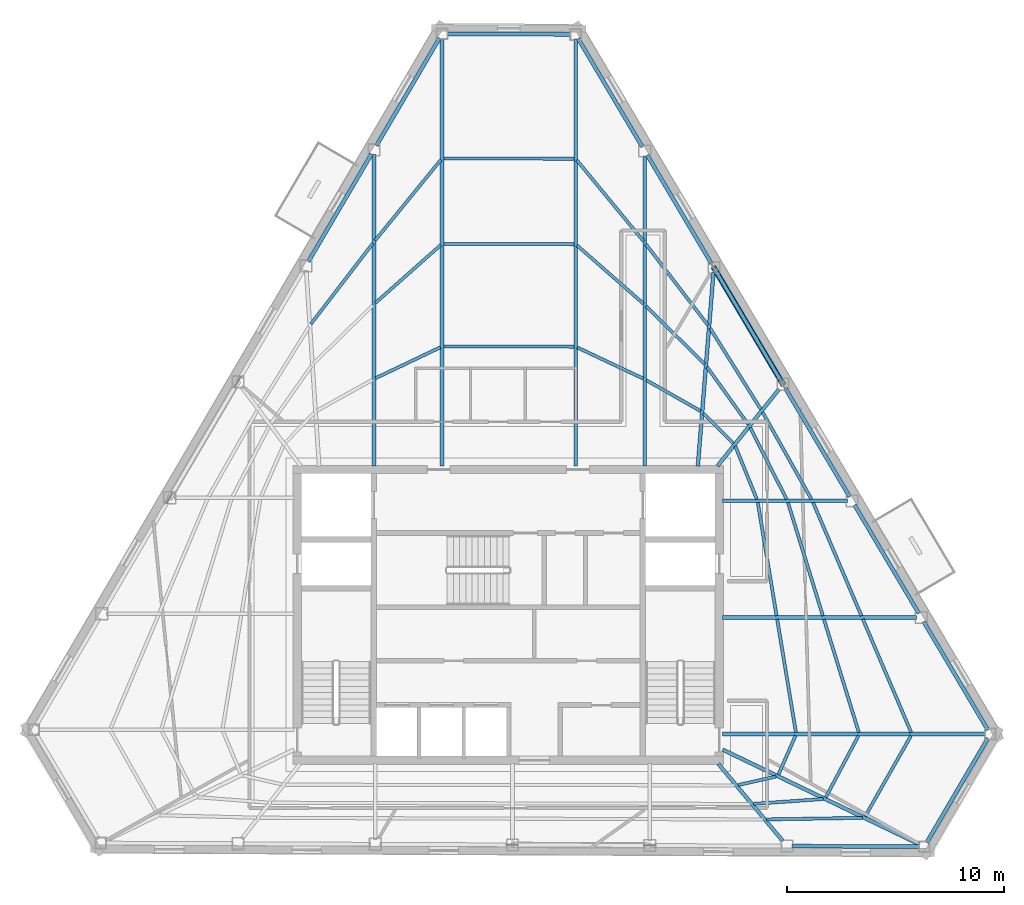
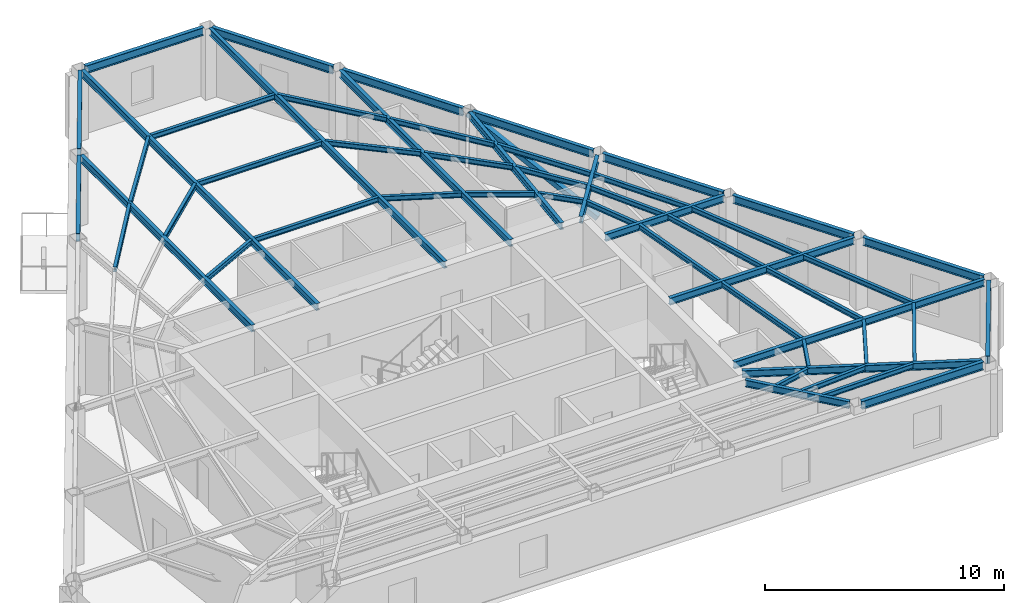
# One storey, part 2 of 9: 53 beams, 1 member.
"""IFC4 building model written with IfcOpenShell, lengths in metres."""

from ifc_helpers import new_model, si_unit, direction, frame, origin, origin_2d, place, context, subcontext, project, spatial, hollow_rectangle, i_section, extrude, material, material_profile, profile_set, type_object, element, save


model = new_model("IFC4")

# Units and contexts
model_context = context("Model", 3, precision=1e-05, world=origin(), true_north=direction((0.0, 1.0)))
body_context = subcontext(model_context, "Body", "Model", "MODEL_VIEW")
ifc_project = project(units=[si_unit("LENGTHUNIT", "METRE"), si_unit("AREAUNIT", "SQUARE_METRE"), si_unit("VOLUMEUNIT", "CUBIC_METRE"), si_unit("PLANEANGLEUNIT", "RADIAN"), si_unit("MASSUNIT", "GRAM", prefix="KILO")], contexts=[model_context])

# Site, building, storey
site_placement = place(None, origin())
site = spatial("IfcSite", under=ifc_project, at=site_placement, CompositionType="ELEMENT")
building_placement = place(site_placement, origin())
building = spatial("IfcBuilding", under=site, at=building_placement, Name="Kavelnor Concourse Tower", CompositionType="ELEMENT")
storey_placement = place(building_placement, frame((0.0, 0.0, 270.300048828125)))
storey = spatial("IfcBuildingStorey", under=building, at=storey_placement, Name="L68", CompositionType="ELEMENT", Elevation=270.300048828125)

# Beams
ifc_material = material(Name="Steel Grade 350", Category="steel")
ifc_material_profile_1 = material_profile(ifc_material, i_section(OverallWidth=0.14599609375, OverallDepth=0.256103515625, WebThickness=0.00634765625, FlangeThickness=0.010986328125, at=origin_2d()), Name="250UB37")
ifc_profile_set_1 = profile_set([ifc_material_profile_1], Name="Steel Grade 350")
beam_type_1 = type_object("IfcBeamType", Name="BM-JOIST-250", PredefinedType="JOIST", material=ifc_profile_set_1)
beam_1_placement = place(storey_placement, frame((48.574462890625, 8.272705078125, 3.48193359375), z_axis=(0.97577700552, 0.218767537577, 0.0), x_axis=(-0.218767537577, 0.97577700552, 0.0)))
element("IfcBeam", 1, at=beam_1_placement, inside=storey, type_object=beam_type_1, Name="L68 Secondary Composite Joist 07-1", PredefinedType="JOIST", context=body_context, shape_type="SweptSolid", body=[
    extrude(i_section(OverallWidth=0.14599609375, OverallDepth=0.256103515625, WebThickness=0.00634765625, FlangeThickness=0.010986328125, at=origin_2d()), origin(), (0.0, 0.0, 1.0), 1.78662109375),
])
beam_2_placement = place(storey_placement, frame((49.288818359375, 7.406982421875, 3.48193359375), z_axis=(0.997571042848, 0.069656402946, 0.0), x_axis=(-0.069656402946, 0.997571042848, 0.0)))
element("IfcBeam", 2, at=beam_2_placement, inside=storey, type_object=beam_type_1, Name="L68 Secondary Composite Joist 07-2", PredefinedType="JOIST", context=body_context, shape_type="SweptSolid", body=[
    extrude(i_section(OverallWidth=0.14599609375, OverallDepth=0.256103515625, WebThickness=0.00634765625, FlangeThickness=0.010986328125, at=origin_2d()), origin(), (0.0, 0.0, 1.0), 3.20703125),
])
beam_3_placement = place(storey_placement, frame((49.8828125, 6.69140625, 3.48193359375), z_axis=(0.999866055404, 0.016366772792, 0.0), x_axis=(-0.016366772792, 0.999866055404, 0.0)))
element("IfcBeam", 3, at=beam_3_placement, inside=storey, type_object=beam_type_1, Name="L68 Secondary Composite Joist 07-3", PredefinedType="JOIST", context=body_context, shape_type="SweptSolid", body=[
    extrude(i_section(OverallWidth=0.14599609375, OverallDepth=0.256103515625, WebThickness=0.00634765625, FlangeThickness=0.010986328125, at=origin_2d()), origin(), (0.0, 0.0, 1.0), 4.415283203125),
])
beam_4_placement = place(storey_placement, frame((50.430908203125, 8.756591796875, 3.48193359375), z_axis=(0.40176468326, 0.91574294389, 0.0), x_axis=(-0.91574294389, 0.40176468326, 0.0)))
element("IfcBeam", 4, at=beam_4_placement, inside=storey, type_object=beam_type_1, Name="L68 Secondary Composite Joist 08-1", PredefinedType="JOIST", context=body_context, shape_type="SweptSolid", body=[
    extrude(i_section(OverallWidth=0.14599609375, OverallDepth=0.256103515625, WebThickness=0.00634765625, FlangeThickness=0.010986328125, at=origin_2d()), origin(), (0.0, 0.0, 1.0), 1.949462890625),
])
beam_5_placement = place(storey_placement, frame((52.608154296875, 7.70849609375, 3.48193359375), z_axis=(0.468502629885, 0.883462102068, 0.0), x_axis=(-0.883462102068, 0.468502629885, 0.0)))
element("IfcBeam", 5, at=beam_5_placement, inside=storey, type_object=beam_type_1, Name="L68 Secondary Composite Joist 08-2", PredefinedType="JOIST", context=body_context, shape_type="SweptSolid", body=[
    extrude(i_section(OverallWidth=0.14599609375, OverallDepth=0.256103515625, WebThickness=0.00634765625, FlangeThickness=0.010986328125, at=origin_2d()), origin(), (0.0, 0.0, 1.0), 3.2099609375),
])
beam_6_placement = place(storey_placement, frame((54.420166015625, 6.836181640625, 3.48193359375), z_axis=(0.494270857919, 0.869307954071, 0.0), x_axis=(-0.869307954071, 0.494270857919, 0.0)))
element("IfcBeam", 6, at=beam_6_placement, inside=storey, type_object=beam_type_1, Name="L68 Secondary Composite Joist 08-3", PredefinedType="JOIST", context=body_context, shape_type="SweptSolid", body=[
    extrude(i_section(OverallWidth=0.14599609375, OverallDepth=0.256103515625, WebThickness=0.00634765625, FlangeThickness=0.010986328125, at=origin_2d()), origin(), (0.0, 0.0, 1.0), 4.26708984375),
])
beam_7_placement = place(storey_placement, frame((51.233642578125, 10.69775390625, 3.48193359375), z_axis=(-0.163715906947, 0.986507527499, 0.0), x_axis=(-0.986507527499, -0.163715906947, 0.0)))
element("IfcBeam", 7, at=beam_7_placement, inside=storey, type_object=beam_type_1, Name="L68 Secondary Composite Joist 09-1", PredefinedType="JOIST", context=body_context, shape_type="SweptSolid", body=[
    extrude(i_section(OverallWidth=0.14599609375, OverallDepth=0.256103515625, WebThickness=0.00634765625, FlangeThickness=0.010986328125, at=origin_2d()), origin(), (0.0, 0.0, 1.0), 5.2744140625),
])
beam_8_placement = place(storey_placement, frame((54.126220703125, 10.6953125, 3.48193359375), z_axis=(-0.294535958939, 0.955640397269, 0.0), x_axis=(-0.955640397269, -0.294535958939, 0.0)))
element("IfcBeam", 8, at=beam_8_placement, inside=storey, type_object=beam_type_1, Name="L68 Secondary Composite Joist 09-2", PredefinedType="JOIST", context=body_context, shape_type="SweptSolid", body=[
    extrude(i_section(OverallWidth=0.14599609375, OverallDepth=0.256103515625, WebThickness=0.00634765625, FlangeThickness=0.010986328125, at=origin_2d()), origin(), (0.0, 0.0, 1.0), 5.449951171875),
])
beam_9_placement = place(storey_placement, frame((56.53759765625, 10.6923828125, 3.48193359375), z_axis=(-0.392499891869, 0.919752050763, 0.0), x_axis=(-0.919752050763, -0.392499891869, 0.0)))
element("IfcBeam", 9, at=beam_9_placement, inside=storey, type_object=beam_type_1, Name="L68 Secondary Composite Joist 09-3", PredefinedType="JOIST", context=body_context, shape_type="SweptSolid", body=[
    extrude(i_section(OverallWidth=0.14599609375, OverallDepth=0.256103515625, WebThickness=0.00634765625, FlangeThickness=0.010986328125, at=origin_2d()), origin(), (0.0, 0.0, 1.0), 5.6689453125),
])
beam_10_placement = place(storey_placement, frame((50.343505859375, 16.06298828125, 3.48193359375), z_axis=(-0.163715906947, 0.986507527499, 0.0), x_axis=(-0.986507527499, -0.163715906947, 0.0)))
element("IfcBeam", 10, at=beam_10_placement, inside=storey, type_object=beam_type_1, Name="L68 Secondary Composite Joist 10-1", PredefinedType="JOIST", context=body_context, shape_type="SweptSolid", body=[
    extrude(i_section(OverallWidth=0.14599609375, OverallDepth=0.256103515625, WebThickness=0.00634765625, FlangeThickness=0.010986328125, at=origin_2d()), origin(), (0.0, 0.0, 1.0), 5.2744140625),
])
beam_11_placement = place(storey_placement, frame((52.472900390625, 16.060302734375, 3.48193359375), z_axis=(-0.294523350605, 0.955644283166, 0.0), x_axis=(-0.955644283166, -0.294523350605, 0.0)))
element("IfcBeam", 11, at=beam_11_placement, inside=storey, type_object=beam_type_1, Name="L68 Secondary Composite Joist 10-2", PredefinedType="JOIST", context=body_context, shape_type="SweptSolid", body=[
    extrude(i_section(OverallWidth=0.14599609375, OverallDepth=0.256103515625, WebThickness=0.00634765625, FlangeThickness=0.010986328125, at=origin_2d()), origin(), (0.0, 0.0, 1.0), 5.4501953125),
])
beam_12_placement = place(storey_placement, frame((54.248291015625, 16.057373046875, 3.48193359375), z_axis=(-0.392484345636, 0.91975868489, 0.0), x_axis=(-0.91975868489, -0.392484345636, 0.0)))
element("IfcBeam", 12, at=beam_12_placement, inside=storey, type_object=beam_type_1, Name="L68 Secondary Composite Joist 10-3", PredefinedType="JOIST", context=body_context, shape_type="SweptSolid", body=[
    extrude(i_section(OverallWidth=0.14599609375, OverallDepth=0.256103515625, WebThickness=0.00634765625, FlangeThickness=0.010986328125, at=origin_2d()), origin(), (0.0, 0.0, 1.0), 5.669189453125),
])
beam_13_placement = place(storey_placement, frame((49.435791015625, 21.423095703125, 3.48193359375), z_axis=(-0.376197957298, 0.926539312132, 0.0), x_axis=(-0.926539312132, -0.376197957298, 0.0)))
element("IfcBeam", 13, at=beam_13_placement, inside=storey, type_object=beam_type_1, Name="L68 Secondary Composite Joist 11-1", PredefinedType="JOIST", context=body_context, shape_type="SweptSolid", body=[
    extrude(i_section(OverallWidth=0.14599609375, OverallDepth=0.256103515625, WebThickness=0.00634765625, FlangeThickness=0.010986328125, at=origin_2d()), origin(), (0.0, 0.0, 1.0), 2.6328125),
])
beam_14_placement = place(storey_placement, frame((50.806396484375, 21.42041015625, 3.48193359375), z_axis=(-0.453282270553, 0.891367030578, 0.0), x_axis=(-0.891367030578, -0.453282270553, 0.0)))
element("IfcBeam", 14, at=beam_14_placement, inside=storey, type_object=beam_type_1, Name="L68 Secondary Composite Joist 11-2", PredefinedType="JOIST", context=body_context, shape_type="SweptSolid", body=[
    extrude(i_section(OverallWidth=0.14599609375, OverallDepth=0.256103515625, WebThickness=0.00634765625, FlangeThickness=0.010986328125, at=origin_2d()), origin(), (0.0, 0.0, 1.0), 3.69482421875),
])
beam_15_placement = place(storey_placement, frame((51.95068359375, 21.418701171875, 3.48193359375), z_axis=(-0.489839668014, 0.871812536983, 0.0), x_axis=(-0.871812536983, -0.489839668014, 0.0)))
element("IfcBeam", 15, at=beam_15_placement, inside=storey, type_object=beam_type_1, Name="L68 Secondary Composite Joist 11-3", PredefinedType="JOIST", context=body_context, shape_type="SweptSolid", body=[
    extrude(i_section(OverallWidth=0.14599609375, OverallDepth=0.256103515625, WebThickness=0.00634765625, FlangeThickness=0.010986328125, at=origin_2d()), origin(), (0.0, 0.0, 1.0), 4.59228515625),
])
beam_16_placement = place(storey_placement, frame((48.3564453125, 23.99658203125, 3.48193359375), z_axis=(-0.705729019698, 0.708481863392, 0.0), x_axis=(-0.708481863392, -0.705729019698, 0.0)))
element("IfcBeam", 16, at=beam_16_placement, inside=storey, type_object=beam_type_1, Name="L68 Secondary Composite Joist 12-1", PredefinedType="JOIST", context=body_context, shape_type="SweptSolid", body=[
    extrude(i_section(OverallWidth=0.14599609375, OverallDepth=0.256103515625, WebThickness=0.00634765625, FlangeThickness=0.010986328125, at=origin_2d()), origin(), (0.0, 0.0, 1.0), 1.951171875),
])
beam_17_placement = place(storey_placement, frame((49.04638671875, 24.853515625, 3.48193359375), z_axis=(-0.58249509132, 0.812834219622, 0.0), x_axis=(-0.812834219622, -0.58249509132, 0.0)))
element("IfcBeam", 17, at=beam_17_placement, inside=storey, type_object=beam_type_1, Name="L68 Secondary Composite Joist 12-2", PredefinedType="JOIST", context=body_context, shape_type="SweptSolid", body=[
    extrude(i_section(OverallWidth=0.14599609375, OverallDepth=0.256103515625, WebThickness=0.00634765625, FlangeThickness=0.010986328125, at=origin_2d()), origin(), (0.0, 0.0, 1.0), 3.268798828125),
])
beam_18_placement = place(storey_placement, frame((49.617431640625, 25.563232421875, 3.48193359375), z_axis=(-0.530911574228, 0.847427224221, 0.0), x_axis=(-0.847427224221, -0.530911574228, 0.0)))
element("IfcBeam", 18, at=beam_18_placement, inside=storey, type_object=beam_type_1, Name="L68 Secondary Composite Joist 12-3", PredefinedType="JOIST", context=body_context, shape_type="SweptSolid", body=[
    extrude(i_section(OverallWidth=0.14599609375, OverallDepth=0.256103515625, WebThickness=0.00634765625, FlangeThickness=0.010986328125, at=origin_2d()), origin(), (0.0, 0.0, 1.0), 4.39892578125),
])
beam_19_placement = place(storey_placement, frame((46.850341796875, 25.477294921875, 3.48193359375), z_axis=(-0.869379492744, 0.494145016768, 0.0), x_axis=(-0.494145016768, -0.869379492744, 0.0)))
element("IfcBeam", 19, at=beam_19_placement, inside=storey, type_object=beam_type_1, Name="L68 Secondary Composite Joist 13-1", PredefinedType="JOIST", context=body_context, shape_type="SweptSolid", body=[
    extrude(i_section(OverallWidth=0.14599609375, OverallDepth=0.256103515625, WebThickness=0.00634765625, FlangeThickness=0.010986328125, at=origin_2d()), origin(), (0.0, 0.0, 1.0), 2.87646484375),
])
beam_20_placement = place(storey_placement, frame((47.036376953125, 27.634765625, 3.48193359375), z_axis=(-0.71043971606, 0.703758062011, 0.0), x_axis=(-0.703758062011, -0.71043971606, 0.0)))
element("IfcBeam", 20, at=beam_20_placement, inside=storey, type_object=beam_type_1, Name="L68 Secondary Composite Joist 13-2", PredefinedType="JOIST", context=body_context, shape_type="SweptSolid", body=[
    extrude(i_section(OverallWidth=0.14599609375, OverallDepth=0.256103515625, WebThickness=0.00634765625, FlangeThickness=0.010986328125, at=origin_2d()), origin(), (0.0, 0.0, 1.0), 3.800048828125),
])
beam_21_placement = place(storey_placement, frame((47.188720703125, 29.425537109375, 3.48193359375), z_axis=(-0.608257155743, 0.793740028276, 0.0), x_axis=(-0.793740028276, -0.608257155743, 0.0)))
element("IfcBeam", 21, at=beam_21_placement, inside=storey, type_object=beam_type_1, Name="L68 Secondary Composite Joist 13-3", PredefinedType="JOIST", context=body_context, shape_type="SweptSolid", body=[
    extrude(i_section(OverallWidth=0.14599609375, OverallDepth=0.256103515625, WebThickness=0.00634765625, FlangeThickness=0.010986328125, at=origin_2d()), origin(), (0.0, 0.0, 1.0), 4.702880859375),
])
beam_22_placement = place(storey_placement, frame((44.2041015625, 26.97412109375, 3.48193359375), z_axis=(-0.904180687176, 0.427150190141, 0.0), x_axis=(-0.427150190141, -0.904180687176, 0.0)))
element("IfcBeam", 22, at=beam_22_placement, inside=storey, type_object=beam_type_1, Name="L68 Secondary Composite Joist 14-1", PredefinedType="JOIST", context=body_context, shape_type="SweptSolid", body=[
    extrude(i_section(OverallWidth=0.14599609375, OverallDepth=0.256103515625, WebThickness=0.00634765625, FlangeThickness=0.010986328125, at=origin_2d()), origin(), (0.0, 0.0, 1.0), 3.352783203125),
])
beam_23_placement = place(storey_placement, frame((44.216796875, 30.4208984375, 3.48193359375), z_axis=(-0.751683393893, 0.659524127948, 0.0), x_axis=(-0.659524127948, -0.751683393893, 0.0)))
element("IfcBeam", 23, at=beam_23_placement, inside=storey, type_object=beam_type_1, Name="L68 Secondary Composite Joist 14-2", PredefinedType="JOIST", context=body_context, shape_type="SweptSolid", body=[
    extrude(i_section(OverallWidth=0.14599609375, OverallDepth=0.256103515625, WebThickness=0.00634765625, FlangeThickness=0.010986328125, at=origin_2d()), origin(), (0.0, 0.0, 1.0), 4.06640625),
])
beam_24_placement = place(storey_placement, frame((44.226318359375, 33.286865234375, 3.48193359375), z_axis=(-0.635572847795, 0.772040902509, 0.0), x_axis=(-0.772040902509, -0.635572847795, 0.0)))
element("IfcBeam", 24, at=beam_24_placement, inside=storey, type_object=beam_type_1, Name="L68 Secondary Composite Joist 14-3", PredefinedType="JOIST", context=body_context, shape_type="SweptSolid", body=[
    extrude(i_section(OverallWidth=0.14599609375, OverallDepth=0.256103515625, WebThickness=0.00634765625, FlangeThickness=0.010986328125, at=origin_2d()), origin(), (0.0, 0.0, 1.0), 4.839111328125),
])
for number, where, z_axis, x_axis, name in (
    (25, (41.0166015625, 28.44140625, 3.48193359375), (-0.999999250619, 0.001224239034, 0.0), (-0.001224239034, -0.999999250619, 0.0), "L68 Secondary Composite Joist 15-1"),
    (26, (41.0166015625, 33.156982421875, 3.48193359375), (-0.999997481254, 0.002244434257, 0.0), (-0.002244434257, -0.999997481254, 0.0), "L68 Secondary Composite Joist 15-2"),
    (27, (41.0166015625, 37.086669921875, 3.48193359375), (-0.999995190669, 0.00310139296, 0.0), (-0.00310139296, -0.999995190669, 0.0), "L68 Secondary Composite Joist 15-3"),
):
    element("IfcBeam", number, at=place(storey_placement, frame(where, z_axis=z_axis, x_axis=x_axis)), inside=storey, type_object=beam_type_1, Name=name, PredefinedType="JOIST", context=body_context, shape_type="SweptSolid", body=[
        extrude(i_section(OverallWidth=0.14599609375, OverallDepth=0.256103515625, WebThickness=0.00634765625, FlangeThickness=0.010986328125, at=origin_2d()), origin(), (0.0, 0.0, 1.0), 5.982666015625),
    ])
beam_25_placement = place(storey_placement, frame((34.8779296875, 28.41357421875, 3.48193359375), z_axis=(-0.902517574036, -0.430653025712, 0.0), x_axis=(0.430653025712, -0.902517574036, 0.0)))
element("IfcBeam", 28, at=beam_25_placement, inside=storey, type_object=beam_type_1, Name="L68 Secondary Composite Joist 16-1", PredefinedType="JOIST", context=body_context, shape_type="SweptSolid", body=[
    extrude(i_section(OverallWidth=0.14599609375, OverallDepth=0.256103515625, WebThickness=0.00634765625, FlangeThickness=0.010986328125, at=origin_2d()), origin(), (0.0, 0.0, 1.0), 3.3056640625),
])
beam_26_placement = place(storey_placement, frame((34.890380859375, 33.1162109375, 3.48193359375), z_axis=(-0.748427098642, -0.663217067043, 0.0), x_axis=(0.663217067043, -0.748427098642, 0.0)))
element("IfcBeam", 29, at=beam_26_placement, inside=storey, type_object=beam_type_1, Name="L68 Secondary Composite Joist 16-2", PredefinedType="JOIST", context=body_context, shape_type="SweptSolid", body=[
    extrude(i_section(OverallWidth=0.14599609375, OverallDepth=0.256103515625, WebThickness=0.00634765625, FlangeThickness=0.010986328125, at=origin_2d()), origin(), (0.0, 0.0, 1.0), 4.019775390625),
])
beam_27_placement = place(storey_placement, frame((34.900146484375, 37.0419921875, 3.48193359375), z_axis=(-0.631763656983, -0.77516106824, 0.0), x_axis=(0.77516106824, -0.631763656983, 0.0)))
element("IfcBeam", 30, at=beam_27_placement, inside=storey, type_object=beam_type_1, Name="L68 Secondary Composite Joist 16-3", PredefinedType="JOIST", context=body_context, shape_type="SweptSolid", body=[
    extrude(i_section(OverallWidth=0.14599609375, OverallDepth=0.256103515625, WebThickness=0.00634765625, FlangeThickness=0.010986328125, at=origin_2d()), origin(), (0.0, 0.0, 1.0), 4.792724609375),
])
beam_28_placement = place(storey_placement, frame((31.7705078125, 33.1982421875, 3.48193359375), z_axis=(-0.609050081935, -0.793131765658, 0.0), x_axis=(0.793131765658, -0.609050081935, 0.0)))
element("IfcBeam", 31, at=beam_28_placement, inside=storey, type_object=beam_type_1, Name="L68 Secondary Composite Joist 17-3", PredefinedType="JOIST", context=body_context, shape_type="SweptSolid", body=[
    extrude(i_section(OverallWidth=0.14599609375, OverallDepth=0.256103515625, WebThickness=0.00634765625, FlangeThickness=0.010986328125, at=origin_2d()), origin(), (0.0, 0.0, 1.0), 4.680419921875),
])
ifc_material_profile_2 = material_profile(ifc_material, i_section(OverallWidth=0.172119140625, OverallDepth=0.35888671875, WebThickness=0.008056640625, FlangeThickness=0.012939453125, at=origin_2d()), Name="360UB56")
ifc_profile_set_2 = profile_set([ifc_material_profile_2], Name="Steel Grade 350")
beam_type_2 = type_object("IfcBeamType", Name="BM-PRIMARY-360", PredefinedType="BEAM", material=ifc_profile_set_2)
beam_29_placement = place(storey_placement, frame((34.951904296875, 22.93994140625, 3.430419921875), z_axis=(0.0, 1.0, 0.0), x_axis=(-1.0, 0.0, 0.0)))
element("IfcBeam", 32, at=beam_29_placement, inside=storey, type_object=beam_type_2, Name="L68 Primary Floor Girder F0-B0", PredefinedType="BEAM", context=body_context, shape_type="SweptSolid", body=[
    extrude(i_section(OverallWidth=0.172119140625, OverallDepth=0.35888671875, WebThickness=0.008056640625, FlangeThickness=0.012939453125, at=origin_2d()), origin(), (0.0, 0.0, 1.0), 19.674560546875),
])
beam_30_placement = place(storey_placement, frame((31.820556640625, 22.93994140625, 3.430419921875), z_axis=(0.0, 1.0, 0.0), x_axis=(-1.0, 0.0, 0.0)))
element("IfcBeam", 33, at=beam_30_placement, inside=storey, type_object=beam_type_2, Name="L68 Primary Floor Girder F0-B1", PredefinedType="BEAM", context=body_context, shape_type="SweptSolid", body=[
    extrude(i_section(OverallWidth=0.172119140625, OverallDepth=0.35888671875, WebThickness=0.008056640625, FlangeThickness=0.012939453125, at=origin_2d()), origin(), (0.0, 0.0, 1.0), 14.337890625),
])
beam_31_placement = place(storey_placement, frame((47.6630859375, 9.250732421875, 3.430419921875), z_axis=(0.64086317924, -0.767655121454, 0.0), x_axis=(0.767655121454, 0.64086317924, 0.0)))
element("IfcBeam", 34, at=beam_31_placement, inside=storey, type_object=beam_type_2, Name="L68 Primary Floor Girder F1-B5", PredefinedType="BEAM", context=body_context, shape_type="SweptSolid", body=[
    extrude(i_section(OverallWidth=0.172119140625, OverallDepth=0.35888671875, WebThickness=0.008056640625, FlangeThickness=0.012939453125, at=origin_2d()), origin(), (0.0, 0.0, 1.0), 4.6328125),
])
beam_32_placement = place(storey_placement, frame((47.864013671875, 9.901123046875, 3.430419921875), z_axis=(0.901059375209, -0.433695748593, 0.0), x_axis=(0.433695748593, 0.901059375209, 0.0)))
element("IfcBeam", 35, at=beam_32_placement, inside=storey, type_object=beam_type_2, Name="L68 Primary Floor Girder F1-B6", PredefinedType="BEAM", context=body_context, shape_type="SweptSolid", body=[
    extrude(i_section(OverallWidth=0.172119140625, OverallDepth=0.35888671875, WebThickness=0.008056640625, FlangeThickness=0.012939453125, at=origin_2d()), origin(), (0.0, 0.0, 1.0), 10.043212890625),
])
beam_33_placement = place(storey_placement, frame((47.860107421875, 10.616943359375, 3.430419921875), z_axis=(1.0, 0.0, 0.0), x_axis=(0.0, 1.0, 0.0)))
element("IfcBeam", 36, at=beam_33_placement, inside=storey, type_object=beam_type_2, Name="L68 Primary Floor Girder F2-B0", PredefinedType="BEAM", context=body_context, shape_type="SweptSolid", body=[
    extrude(i_section(OverallWidth=0.172119140625, OverallDepth=0.35888671875, WebThickness=0.008056640625, FlangeThickness=0.012939453125, at=origin_2d()), origin(), (0.0, 0.0, 1.0), 12.0966796875),
])
beam_34_placement = place(storey_placement, frame((47.860107421875, 15.98193359375, 3.430419921875), z_axis=(1.0, 0.0, 0.0), x_axis=(0.0, 1.0, 0.0)))
element("IfcBeam", 37, at=beam_34_placement, inside=storey, type_object=beam_type_2, Name="L68 Primary Floor Girder F2-B1", PredefinedType="BEAM", context=body_context, shape_type="SweptSolid", body=[
    extrude(i_section(OverallWidth=0.172119140625, OverallDepth=0.35888671875, WebThickness=0.008056640625, FlangeThickness=0.012939453125, at=origin_2d()), origin(), (0.0, 0.0, 1.0), 8.9169921875),
])
beam_35_placement = place(storey_placement, frame((47.860107421875, 21.34716796875, 3.430419921875), z_axis=(1.0, 0.0, 0.0), x_axis=(0.0, 1.0, 0.0)))
element("IfcBeam", 38, at=beam_35_placement, inside=storey, type_object=beam_type_2, Name="L68 Primary Floor Girder F2-B2", PredefinedType="BEAM", context=body_context, shape_type="SweptSolid", body=[
    extrude(i_section(OverallWidth=0.172119140625, OverallDepth=0.35888671875, WebThickness=0.008056640625, FlangeThickness=0.012939453125, at=origin_2d()), origin(), (0.0, 0.0, 1.0), 5.7373046875),
])
beam_36_placement = place(storey_placement, frame((47.62109375, 22.94873046875, 3.430419921875), z_axis=(0.625437447742, 0.780274310074, 0.0), x_axis=(-0.780274310074, 0.625437447742, 0.0)))
element("IfcBeam", 39, at=beam_36_placement, inside=storey, type_object=beam_type_2, Name="L68 Primary Floor Girder F2-B3", PredefinedType="BEAM", context=body_context, shape_type="SweptSolid", body=[
    extrude(i_section(OverallWidth=0.172119140625, OverallDepth=0.35888671875, WebThickness=0.008056640625, FlangeThickness=0.012939453125, at=origin_2d()), origin(), (0.0, 0.0, 1.0), 4.530029296875),
])
beam_37_placement = place(storey_placement, frame((46.72021484375, 22.940185546875, 3.430419921875), z_axis=(0.080477337109, 0.996756438761, 0.0), x_axis=(-0.996756438761, 0.080477337109, 0.0)))
element("IfcBeam", 40, at=beam_37_placement, inside=storey, type_object=beam_type_2, Name="L68 Primary Floor Girder F2-B4", PredefinedType="BEAM", context=body_context, shape_type="SweptSolid", body=[
    extrude(i_section(OverallWidth=0.172119140625, OverallDepth=0.35888671875, WebThickness=0.008056640625, FlangeThickness=0.012939453125, at=origin_2d()), origin(), (0.0, 0.0, 1.0), 8.9462890625),
])
beam_38_placement = place(storey_placement, frame((44.2783203125, 22.93994140625, 3.430419921875), z_axis=(0.0, 1.0, 0.0), x_axis=(-1.0, 0.0, 0.0)))
element("IfcBeam", 41, at=beam_38_placement, inside=storey, type_object=beam_type_2, Name="L68 Primary Floor Girder F2-B5", PredefinedType="BEAM", context=body_context, shape_type="SweptSolid", body=[
    extrude(i_section(OverallWidth=0.172119140625, OverallDepth=0.35888671875, WebThickness=0.008056640625, FlangeThickness=0.012939453125, at=origin_2d()), origin(), (0.0, 0.0, 1.0), 14.28271484375),
])
beam_39_placement = place(storey_placement, frame((41.0986328125, 22.93994140625, 3.430419921875), z_axis=(0.0, 1.0, 0.0), x_axis=(-1.0, 0.0, 0.0)))
element("IfcBeam", 42, at=beam_39_placement, inside=storey, type_object=beam_type_2, Name="L68 Primary Floor Girder F2-B6", PredefinedType="BEAM", context=body_context, shape_type="SweptSolid", body=[
    extrude(i_section(OverallWidth=0.172119140625, OverallDepth=0.35888671875, WebThickness=0.008056640625, FlangeThickness=0.012939453125, at=origin_2d()), origin(), (0.0, 0.0, 1.0), 19.647705078125),
])
ifc_material_profile_3 = material_profile(ifc_material, i_section(OverallWidth=0.177978515625, OverallDepth=0.406005859375, WebThickness=0.0078125, FlangeThickness=0.0126953125, at=origin_2d()), Name="410UB59")
ifc_profile_set_3 = profile_set([ifc_material_profile_3], Name="Steel Grade 350")
beam_type_3 = type_object("IfcBeamType", Name="BM-SPANDREL-Z4", PredefinedType="SPANDREL", material=ifc_profile_set_3)
beam_40_placement = place(storey_placement, frame((34.837890625, 42.640380859375, 3.406982421875), z_axis=(-0.506073280581, -0.862490483821, 0.0), x_axis=(0.862490483821, -0.506073280581, 0.0)))
element("IfcBeam", 43, at=beam_40_placement, inside=storey, type_object=beam_type_3, Name="L68 Perimeter Tube Spandrel Beam F0-B0", PredefinedType="SPANDREL", context=body_context, shape_type="SweptSolid", body=[
    extrude(i_section(OverallWidth=0.177978515625, OverallDepth=0.406005859375, WebThickness=0.0078125, FlangeThickness=0.0126953125, at=origin_2d()), origin(), (0.0, 0.0, 1.0), 5.737548828125),
])
beam_41_placement = place(storey_placement, frame((31.70654296875, 37.3037109375, 3.406982421875), z_axis=(-0.506110429492, -0.862468685321, 0.0), x_axis=(0.862468685321, -0.506110429492, 0.0)))
element("IfcBeam", 44, at=beam_41_placement, inside=storey, type_object=beam_type_3, Name="L68 Perimeter Tube Spandrel Beam F0-B1", PredefinedType="SPANDREL", context=body_context, shape_type="SweptSolid", body=[
    extrude(i_section(OverallWidth=0.177978515625, OverallDepth=0.406005859375, WebThickness=0.0078125, FlangeThickness=0.0126953125, at=origin_2d()), origin(), (0.0, 0.0, 1.0), 5.737060546875),
])
beam_42_placement = place(storey_placement, frame((40.87353515625, 42.80859375, 3.406982421875), z_axis=(-0.99999044517, 0.004371449252, 0.0), x_axis=(-0.004371449252, -0.99999044517, 0.0)))
element("IfcBeam", 45, at=beam_42_placement, inside=storey, type_object=beam_type_3, Name="L68 Chamfer Facet Spandrel Beam C0", PredefinedType="SPANDREL", context=body_context, shape_type="SweptSolid", body=[
    extrude(i_section(OverallWidth=0.177978515625, OverallDepth=0.406005859375, WebThickness=0.0078125, FlangeThickness=0.0126953125, at=origin_2d()), origin(), (0.0, 0.0, 1.0), 5.696533203125),
])
beam_43_placement = place(storey_placement, frame((51.048583984375, 5.464111328125, 3.406982421875), z_axis=(0.999990444959, -0.004371497428, 0.0), x_axis=(0.004371497428, 0.999990444959, 0.0)))
element("IfcBeam", 46, at=beam_43_placement, inside=storey, type_object=beam_type_3, Name="L68 Perimeter Tube Spandrel Beam F1-B5", PredefinedType="SPANDREL", context=body_context, shape_type="SweptSolid", body=[
    extrude(i_section(OverallWidth=0.177978515625, OverallDepth=0.406005859375, WebThickness=0.0078125, FlangeThickness=0.0126953125, at=origin_2d()), origin(), (0.0, 0.0, 1.0), 5.864013671875),
])
beam_44_placement = place(storey_placement, frame((60.062255859375, 10.810546875, 3.406982421875), z_axis=(-0.509884500813, 0.860242870259, 0.0), x_axis=(-0.860242870259, -0.509884500813, 0.0)))
element("IfcBeam", 47, at=beam_44_placement, inside=storey, type_object=beam_type_3, Name="L68 Perimeter Tube Spandrel Beam F2-B0", PredefinedType="SPANDREL", context=body_context, shape_type="SweptSolid", body=[
    extrude(i_section(OverallWidth=0.177978515625, OverallDepth=0.406005859375, WebThickness=0.0078125, FlangeThickness=0.0126953125, at=origin_2d()), origin(), (0.0, 0.0, 1.0), 5.786376953125),
])
for number, where, z_axis, x_axis, name in (
    (48, (56.882568359375, 16.175537109375, 3.406982421875), (-0.509865995133, 0.860253838705, 0.0), (-0.860253838705, -0.509865995133, 0.0), "L68 Perimeter Tube Spandrel Beam F2-B1"),
    (49, (53.702880859375, 21.540771484375, 3.406982421875), (-0.509865995133, 0.860253838705, 0.0), (-0.860253838705, -0.509865995133, 0.0), "L68 Perimeter Tube Spandrel Beam F2-B2"),
):
    element("IfcBeam", number, at=place(storey_placement, frame(where, z_axis=z_axis, x_axis=x_axis)), inside=storey, type_object=beam_type_3, Name=name, PredefinedType="SPANDREL", context=body_context, shape_type="SweptSolid", body=[
        extrude(i_section(OverallWidth=0.177978515625, OverallDepth=0.406005859375, WebThickness=0.0078125, FlangeThickness=0.0126953125, at=origin_2d()), origin(), (0.0, 0.0, 1.0), 5.78662109375),
    ])
beam_45_placement = place(storey_placement, frame((50.52294921875, 26.906005859375, 3.406982421875), z_axis=(-0.509853277331, 0.860261376324, 0.0), x_axis=(-0.860261376324, -0.509853277331, 0.0)))
element("IfcBeam", 50, at=beam_45_placement, inside=storey, type_object=beam_type_3, Name="L68 Perimeter Tube Spandrel Beam F2-B3", PredefinedType="SPANDREL", context=body_context, shape_type="SweptSolid", body=[
    extrude(i_section(OverallWidth=0.177978515625, OverallDepth=0.406005859375, WebThickness=0.0078125, FlangeThickness=0.0126953125, at=origin_2d()), origin(), (0.0, 0.0, 1.0), 5.786376953125),
])
beam_46_placement = place(storey_placement, frame((47.34326171875, 32.27099609375, 3.406982421875), z_axis=(-0.509834771988, 0.860272343663, 0.0), x_axis=(-0.860272343663, -0.509834771988, 0.0)))
element("IfcBeam", 51, at=beam_46_placement, inside=storey, type_object=beam_type_3, Name="L68 Perimeter Tube Spandrel Beam F2-B4", PredefinedType="SPANDREL", context=body_context, shape_type="SweptSolid", body=[
    extrude(i_section(OverallWidth=0.177978515625, OverallDepth=0.406005859375, WebThickness=0.0078125, FlangeThickness=0.0126953125, at=origin_2d()), origin(), (0.0, 0.0, 1.0), 5.78662109375),
])
beam_47_placement = place(storey_placement, frame((44.16357421875, 37.63623046875, 3.406982421875), z_axis=(-0.509853277331, 0.860261376324, 0.0), x_axis=(-0.860261376324, -0.509853277331, 0.0)))
element("IfcBeam", 52, at=beam_47_placement, inside=storey, type_object=beam_type_3, Name="L68 Perimeter Tube Spandrel Beam F2-B5", PredefinedType="SPANDREL", context=body_context, shape_type="SweptSolid", body=[
    extrude(i_section(OverallWidth=0.177978515625, OverallDepth=0.406005859375, WebThickness=0.0078125, FlangeThickness=0.0126953125, at=origin_2d()), origin(), (0.0, 0.0, 1.0), 5.786376953125),
])
beam_48_placement = place(storey_placement, frame((57.25146484375, 5.631591796875, 3.406982421875), z_axis=(0.506101795097, 0.862473752064, 0.0), x_axis=(-0.862473752064, 0.506101795097, 0.0)))
element("IfcBeam", 53, at=beam_48_placement, inside=storey, type_object=beam_type_3, Name="L68 Chamfer Facet Spandrel Beam C2", PredefinedType="SPANDREL", context=body_context, shape_type="SweptSolid", body=[
    extrude(i_section(OverallWidth=0.177978515625, OverallDepth=0.406005859375, WebThickness=0.0078125, FlangeThickness=0.0126953125, at=origin_2d()), origin(), (0.0, 0.0, 1.0), 5.55517578125),
])

# Member
ifc_material_profile_4 = material_profile(ifc_material, hollow_rectangle(XDim=0.25, YDim=0.25, WallThickness=0.01611328125, at=origin_2d()), Name="SHS 250x250x16")
ifc_profile_set_4 = profile_set([ifc_material_profile_4], Name="Steel Grade 350")
member_type = type_object("IfcMemberType", Name="MBR-TUBE-DIAG-Z4", PredefinedType="BRACE", material=ifc_profile_set_4)
member_placement = place(storey_placement, frame((50.6376953125, 26.71240234375, 0.219970703125), z_axis=(-0.454006824922, 0.766031939316, 0.455052602313), x_axis=(-0.860261009154, -0.509853896847, 0.0)))
element("IfcMember", 54, at=member_placement, inside=storey, type_object=member_type, Name="L68 Framed-Tube Bracing Diagonal F2-B3", PredefinedType="BRACE", context=body_context, shape_type="SweptSolid", body=[
    extrude(hollow_rectangle(XDim=0.25, YDim=0.25, WallThickness=0.01611328125, at=origin_2d()), origin(), (0.0, 0.0, 1.0), 7.003662109375),
])

save(model, "model.ifc")
